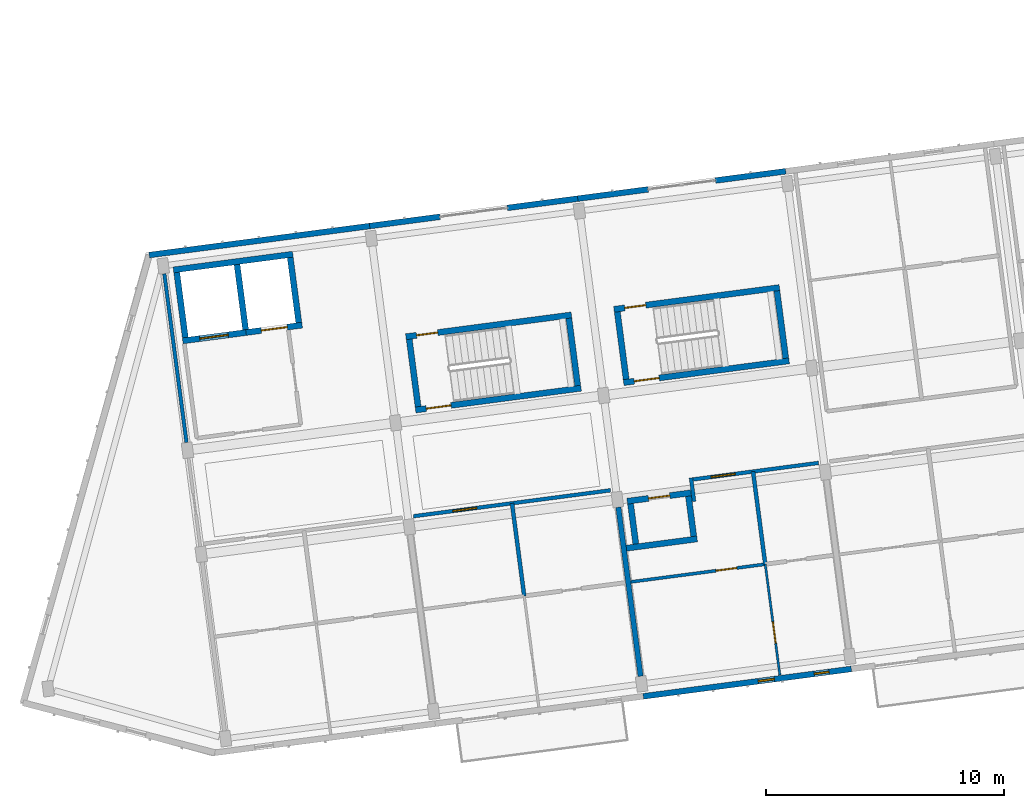
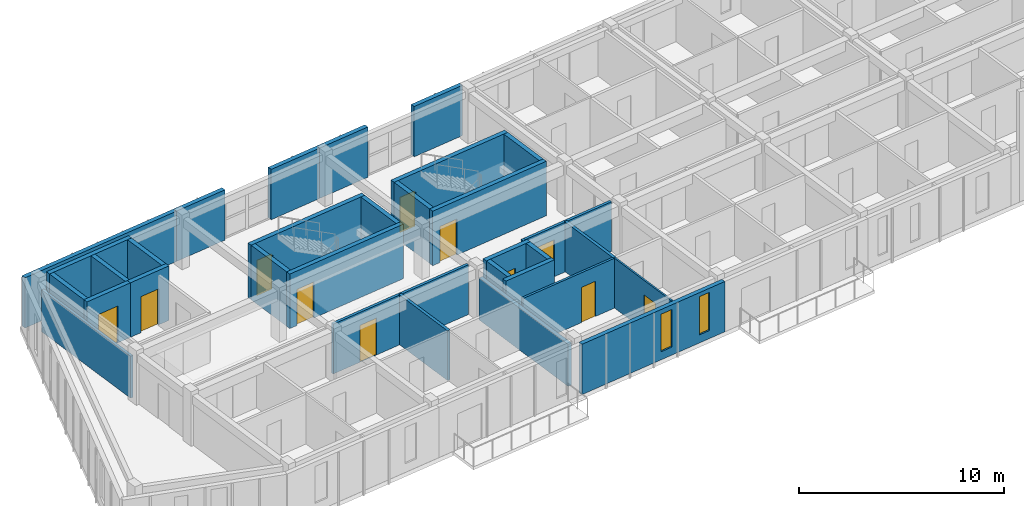
# One storey, part 13 of 31: 33 walls, 11 doors, 2 windows, 13 openings.
"""IFC4 building model written with IfcOpenShell, lengths in metres."""

import ifcopenshell
import ifcopenshell.guid

model = None  # the IFC model being written
_history = None  # IfcOwnerHistory: only IFC2X3 demands one
_inside = {}  # id of a spatial element -> (the spatial element, [elements in it])
_under = {}  # id of a project, library or spatial element -> (it, [spatial elements below it])
_declared = {}  # id of a project -> (the project, [libraries it declares])
_typed = {}  # id of a type object -> (the type object, [elements of that type])
_made_of = {}  # id of a material, layer set ... -> (it, [elements and type objects made of it])


def new_model(schema):
    """Start an empty IFC model of exactly this schema.

    Asked for "IFC4X3", IfcOpenShell would pick the latest addendum, in which some entities
    have other attributes; the version numbers below select the first issue.
    IFC2X3 requires an IfcOwnerHistory on every rooted entity: one is made here for all.
    """
    global model, _history
    if schema == "IFC4X3":
        model = ifcopenshell.file(schema_version=(4, 3, 0, 0))
    else:
        model = ifcopenshell.file(schema=schema)
    _inside.clear()
    _under.clear()
    _declared.clear()
    _typed.clear()
    _made_of.clear()
    _history = None
    if model.schema == "IFC2X3":
        org = make("IfcOrganization", Name="unknown")
        user = make(
            "IfcPersonAndOrganization",
            ThePerson=make("IfcPerson", FamilyName="unknown"),
            TheOrganization=org,
        )
        app = make(
            "IfcApplication",
            ApplicationDeveloper=org,
            Version="unknown",
            ApplicationFullName="unknown",
            ApplicationIdentifier="unknown",
        )
        _history = make(
            "IfcOwnerHistory",
            OwningUser=user,
            OwningApplication=app,
            ChangeAction="ADDED",
            CreationDate=0,
        )
    return model


def make(cls, **values):
    """One entity of the class cls with the attributes given. An attribute that is None is left unset."""
    return model.create_entity(
        cls, **{name: value for name, value in values.items() if value is not None}
    )


def rooted(cls, **values):
    """An entity with a GlobalId (a new one), such as an element, a storey or a relation."""
    return make(cls, GlobalId=ifcopenshell.guid.new(), OwnerHistory=_history, **values)


def si_unit(unit_type, name, prefix=None):
    """IfcSIUnit, for example si_unit("LENGTHUNIT", "METRE", prefix="MILLI")."""
    return make("IfcSIUnit", UnitType=unit_type, Prefix=prefix, Name=name)


def assignment(units):
    """IfcUnitAssignment: the units of a project."""
    return None if units is None else make("IfcUnitAssignment", Units=units)


def point(xyz):
    """IfcCartesianPoint."""
    return None if xyz is None else make("IfcCartesianPoint", Coordinates=xyz)


def direction(xyz):
    """IfcDirection."""
    return None if xyz is None else make("IfcDirection", DirectionRatios=xyz)


def frame(location, z_axis=None, x_axis=None):
    """IfcAxis2Placement3D, a coordinate frame: its origin and axes. An axis left out is left unset."""
    return make(
        "IfcAxis2Placement3D",
        Location=point(location),
        Axis=direction(z_axis),
        RefDirection=direction(x_axis),
    )


def frame_2d(location, x_axis=None):
    """IfcAxis2Placement2D, a coordinate frame in the plane: its origin and x axis."""
    return make(
        "IfcAxis2Placement2D", Location=point(location), RefDirection=direction(x_axis)
    )


def origin():
    """The frame at (0, 0, 0) with its axes left unset."""
    return frame((0.0, 0.0, 0.0))


def place(relative_to, where):
    """IfcLocalPlacement: puts the frame where relative to a parent placement (None: the world)."""
    return make(
        "IfcLocalPlacement", PlacementRelTo=relative_to, RelativePlacement=where
    )


def context(
    kind, dimensions, precision=None, world=None, true_north=None, identifier=None
):
    """IfcGeometricRepresentationContext, for example the 3D "Model" context."""
    return make(
        "IfcGeometricRepresentationContext",
        ContextIdentifier=identifier,
        ContextType=kind,
        CoordinateSpaceDimension=dimensions,
        Precision=precision,
        WorldCoordinateSystem=world,
        TrueNorth=true_north,
    )


def subcontext(parent, identifier, kind, view, scale=None):
    """IfcGeometricRepresentationSubContext, for example "Body" below "Model"."""
    return make(
        "IfcGeometricRepresentationSubContext",
        ContextIdentifier=identifier,
        ContextType=kind,
        ParentContext=parent,
        TargetScale=scale,
        TargetView=view,
    )


def project(units=None, contexts=None):
    """IfcProject with its units and contexts."""
    return rooted(
        "IfcProject",
        Name="project",
        RepresentationContexts=contexts,
        UnitsInContext=assignment(units),
    )


def spatial(cls, under=None, at=None, **own):
    """A site, building, storey or space (cls), placed at a placement, below another one or the project."""
    s = rooted(cls, ObjectPlacement=at, **own)
    if under is not None:
        _under.setdefault(under.id(), (under, []))[1].append(s)
    return s


def profile(cls, at=None, kind="AREA", **sizes):
    """A parametric profile (cls). Its sizes go by their IFC names, for example OverallWidth=200.0."""
    return make(cls, ProfileType=kind, Position=at, **sizes)


def rectangle(**sizes):
    """IfcRectangleProfileDef."""
    return profile("IfcRectangleProfileDef", **sizes)


def extrude(swept, where, along, depth):
    """IfcExtrudedAreaSolid: the profile swept, set in the frame where, extruded along a direction by depth."""
    return make(
        "IfcExtrudedAreaSolid",
        SweptArea=swept,
        Position=where,
        ExtrudedDirection=direction(along),
        Depth=depth,
    )


def shape(context_of_items, identifier, shape_type, items):
    """IfcShapeRepresentation: the items that make up one representation, for example the "Body"."""
    return make(
        "IfcShapeRepresentation",
        ContextOfItems=context_of_items,
        RepresentationIdentifier=identifier,
        RepresentationType=shape_type,
        Items=items,
    )


def material(Name=None, Category=None):
    """IfcMaterial."""
    return make("IfcMaterial", Name=Name, Category=Category)


def layer(
    of_material, thickness, ventilated=None, Name=None, Category=None, Priority=None
):
    """IfcMaterialLayer: one layer of a wall or slab, of a material (None: an air gap)."""
    return make(
        "IfcMaterialLayer",
        Material=of_material,
        LayerThickness=thickness,
        IsVentilated=ventilated,
        Name=Name,
        Category=Category,
        Priority=Priority,
    )


def layer_set(layers, Name=None):
    """IfcMaterialLayerSet."""
    return make("IfcMaterialLayerSet", MaterialLayers=layers, LayerSetName=Name)


def made_of(thing, what):
    """Note that an element or type object is made of a material, layer set ...; save() writes the relation."""
    if what is not None:
        _made_of.setdefault(what.id(), (what, []))[1].append(thing)
    return thing


def type_object(cls, material=None, **own):
    """A type object (cls), such as IfcWallType, which elements share."""
    return made_of(rooted(cls, **own), material)


def element(
    cls,
    number,
    at=None,
    inside=None,
    cuts=None,
    type_object=None,
    material=None,
    context=None,
    identifier="Body",
    shape_type=None,
    held_by="IfcProductDefinitionShape",
    body=None,
    shapes=None,
    **own,
):
    """One element of the class cls, such as IfcWall. Its Tag is "e" and its number.

    at: its placement. inside: the storey or other place that contains it. cuts: it is an
    opening in that element (IfcRelVoidsElement). A single representation is given by context,
    identifier, shape_type and body (its items); several are given by shapes. held_by: the class
    of the entity that holds the representations. save() writes the other relations.
    """
    e = rooted(cls, Tag="e%d" % number, ObjectPlacement=at, **own)
    if body is not None:
        shapes = [shape(context, identifier, shape_type, body)]
    if shapes is not None:
        e.Representation = make(held_by, Representations=shapes)
    if inside is not None:
        _inside.setdefault(inside.id(), (inside, []))[1].append(e)
    if cuts is not None:
        rooted(
            "IfcRelVoidsElement", RelatingBuildingElement=cuts, RelatedOpeningElement=e
        )
    if type_object is not None:
        _typed.setdefault(type_object.id(), (type_object, []))[1].append(e)
    return made_of(e, material)


def fill(opening, filler):
    """IfcRelFillsElement: the door or window that sits in an opening."""
    return rooted(
        "IfcRelFillsElement",
        RelatingOpeningElement=opening,
        RelatedBuildingElement=filler,
    )


def aggregate(whole, parts):
    """IfcRelAggregates: a whole, such as a stair, and the parts it consists of."""
    return rooted("IfcRelAggregates", RelatingObject=whole, RelatedObjects=parts)


def save(model, path):
    """Write the relations noted so far, then the file.

    IfcRelAggregates (storeys below a building ...), IfcRelContainedInSpatialStructure (elements
    in a storey), IfcRelDefinesByType, IfcRelAssociatesMaterial and IfcRelDeclares: one each for
    every whole, place, type object, material and project.
    """
    for whole, parts in _under.values():
        aggregate(whole, parts)
    for where, things in _inside.values():
        rooted(
            "IfcRelContainedInSpatialStructure",
            RelatedElements=things,
            RelatingStructure=where,
        )
    for kind, things in _typed.values():
        rooted("IfcRelDefinesByType", RelatedObjects=things, RelatingType=kind)
    for what, things in _made_of.values():
        rooted("IfcRelAssociatesMaterial", RelatedObjects=things, RelatingMaterial=what)
    for by, libraries in _declared.values():
        rooted("IfcRelDeclares", RelatingContext=by, RelatedDefinitions=libraries)
    model.write(path)


model = new_model("IFC4")

# Units and contexts
model_context = context("Model", 3, precision=1e-05, world=origin(), true_north=direction((0.0, 1.0)))
body_context = subcontext(model_context, "Body", "Model", "MODEL_VIEW")
ifc_project = project(units=[si_unit("LENGTHUNIT", "METRE"), si_unit("AREAUNIT", "SQUARE_METRE"), si_unit("VOLUMEUNIT", "CUBIC_METRE"), si_unit("PLANEANGLEUNIT", "RADIAN"), si_unit("MASSUNIT", "GRAM", prefix="KILO")], contexts=[model_context])

# Site, building, storey
site_placement = place(None, origin())
site = spatial("IfcSite", under=ifc_project, at=site_placement, CompositionType="ELEMENT")
building_placement = place(site_placement, origin())
building = spatial("IfcBuilding", under=site, at=building_placement, Name="Kestramere Prow Commons", CompositionType="ELEMENT")
storey_placement = place(building_placement, frame((0.0, 0.0, 37.64990234375)))
storey = spatial("IfcBuildingStorey", under=building, at=storey_placement, Name="L11", CompositionType="ELEMENT", Elevation=37.64990234375)

# Wall, openings, windows
ifc_material_1 = material(Name="Fluoropolymer Standing-Seam Zinc-Aluminium Cladding", Category="aluminium")
ifc_layer_1 = layer(ifc_material_1, 0.239990234375)
ifc_layer_set_1 = layer_set([ifc_layer_1], Name="Fluoropolymer Standing-Seam Zinc-Aluminium Cladding")
wall_type_1 = type_object("IfcWallType", Name="EW-SEAM-240", PredefinedType="SOLIDWALL", material=ifc_layer_set_1)
wall_1_placement = place(storey_placement, frame((37.442626953125, 74.92529296875, 0.0), z_axis=(0.0, 0.0, 1.0), x_axis=(-0.991447495205, -0.130506184728, 0.0)))
wall_1 = element("IfcWall", 1, at=wall_1_placement, inside=storey, type_object=wall_type_1, Name="Block A L11 South Standing-Seam Wall 3", PredefinedType="SOLIDWALL", context=body_context, shape_type="SweptSolid", body=[
    extrude(rectangle(XDim=8.7998046875, YDim=0.239990234375, at=frame_2d((4.39990234375, 0.0))), origin(), (0.0, 0.0, 1.0), 3.0),
])
opening_1_placement = place(wall_1_placement, frame((0.943603515625, 0.0, 0.47998046875)))
opening_1 = element("IfcOpeningElement", 2, at=opening_1_placement, cuts=wall_1, Name="Opening WN-03", PredefinedType="OPENING", context=body_context, shape_type="SweptSolid", body=[
    extrude(rectangle(XDim=0.6201171875, YDim=2.280029296875, at=frame_2d((0.31005859375, 1.14013671875))), frame((0.0, 0.135009765625, 0.0), z_axis=(0.0, -1.0, 0.0), x_axis=(1.0, 0.0, 0.0)), (0.0, 0.0, 1.0), 0.27001953125),
])
opening_2_placement = place(wall_1_placement, frame((3.26171875, 0.0, 0.47998046875)))
opening_2 = element("IfcOpeningElement", 3, at=opening_2_placement, cuts=wall_1, Name="Opening WN-06", PredefinedType="OPENING", context=body_context, shape_type="SweptSolid", body=[
    extrude(rectangle(XDim=0.679931640625, YDim=2.239990234375, at=frame_2d((0.33984375, 1.1201171875))), frame((0.0, 0.135009765625, 0.0), z_axis=(0.0, -1.0, 0.0), x_axis=(1.0, 0.0, 0.0)), (0.0, 0.0, 1.0), 0.27001953125),
])
ifc_material_2 = material(Name="Low-E Laminated Double Glazing", Category="glass")
window_type_1 = type_object("IfcWindowType", Name="WN-NAR-620A", PartitioningType="SINGLE_PANEL", PredefinedType="WINDOW", material=ifc_material_2)
window_1_placement = place(opening_1_placement, origin())
window_1 = element("IfcWindow", 4, at=window_1_placement, inside=storey, type_object=window_type_1, Name="WN-A-L11-S-2-00", OverallHeight=2.280029296875, OverallWidth=0.6201171875, PartitioningType="SINGLE_PANEL", PredefinedType="WINDOW", context=body_context, shape_type="SweptSolid", body=[
    extrude(rectangle(XDim=0.6201171875, YDim=2.280029296875, at=frame_2d((0.31005859375, 1.14013671875))), frame((0.0, 0.030029296875, 0.0), z_axis=(0.0, -1.0, 0.0), x_axis=(1.0, 0.0, 0.0)), (0.0, 0.0, 1.0), 0.06005859375),
])
fill(opening_1, window_1)
window_type_2 = type_object("IfcWindowType", Name="WN-NAR-680A", PartitioningType="SINGLE_PANEL", PredefinedType="WINDOW", material=ifc_material_2)
window_2_placement = place(opening_2_placement, origin())
window_2 = element("IfcWindow", 5, at=window_2_placement, inside=storey, type_object=window_type_2, Name="WN-A-L11-S-2-10", OverallHeight=2.239990234375, OverallWidth=0.679931640625, PartitioningType="SINGLE_PANEL", PredefinedType="WINDOW", context=body_context, shape_type="SweptSolid", body=[
    extrude(rectangle(XDim=0.679931640625, YDim=2.239990234375, at=frame_2d((0.33984375, 1.1201171875))), frame((0.0, 0.030029296875, 0.0), z_axis=(0.0, -1.0, 0.0), x_axis=(1.0, 0.0, 0.0)), (0.0, 0.0, 1.0), 0.06005859375),
])
fill(opening_2, window_2)

# Walls
wall_2_placement = place(storey_placement, frame((8.00048828125, 92.28076171875, 0.0), z_axis=(0.0, 0.0, 1.0), x_axis=(0.991442885224, 0.130541201693, 0.0)))
element("IfcWall", 6, at=wall_2_placement, inside=storey, type_object=wall_type_1, Name="Block A L11 North Standing-Seam Wall 1", PredefinedType="SOLIDWALL", context=body_context, shape_type="SweptSolid", body=[
    extrude(rectangle(XDim=9.324951171875, YDim=0.239990234375, at=frame_2d((4.66259765625, 0.0))), origin(), (0.0, 0.0, 1.0), 3.0),
])
for number, where, z_axis, x_axis, name in (
    (7, (17.24560546875, 93.498046875, 0.0), (0.0, 0.0, 1.0), (0.991451502252, 0.130475739826, 0.0), "Block A L11 North Standing-Seam Pier 2L"),
    (8, (23.020751953125, 94.25830078125, 0.0), (0.0, 0.0, 1.0), (0.991440883744, 0.130556401758, 0.0), "Block A L11 North Standing-Seam Pier 2R"),
):
    element("IfcWall", number, at=place(storey_placement, frame(where, z_axis=z_axis, x_axis=x_axis)), inside=storey, type_object=wall_type_1, Name=name, PredefinedType="SOLIDWALL", context=body_context, shape_type="SweptSolid", body=[
        extrude(rectangle(XDim=2.97509765625, YDim=0.239990234375, at=frame_2d((1.487548828125, 0.0))), origin(), (0.0, 0.0, 1.0), 3.0),
    ])
for number, where, z_axis, x_axis, name in (
    (9, (25.970458984375, 94.646728515625, 0.0), (0.0, 0.0, 1.0), (0.991450105095, 0.130486356022, 0.0), "Block A L11 North Standing-Seam Pier 3L"),
    (10, (31.74560546875, 95.406982421875, 0.0), (0.0, 0.0, 1.0), (0.991439484875, 0.130567024289, 0.0), "Block A L11 North Standing-Seam Pier 3R"),
):
    element("IfcWall", number, at=place(storey_placement, frame(where, z_axis=z_axis, x_axis=x_axis)), inside=storey, type_object=wall_type_1, Name=name, PredefinedType="SOLIDWALL", context=body_context, shape_type="SweptSolid", body=[
        extrude(rectangle(XDim=2.974853515625, YDim=0.239990234375, at=frame_2d((1.4873046875, 0.0))), origin(), (0.0, 0.0, 1.0), 3.0),
    ])
ifc_material_3 = material(Name="Concrete C40/50", Category="concrete")
ifc_layer_2 = layer(ifc_material_3, 0.25)
ifc_layer_set_2 = layer_set([ifc_layer_2], Name="Concrete C40/50")
wall_type_2 = type_object("IfcWallType", Name="W-CORE-250", PredefinedType="SHEAR", material=ifc_layer_set_2)
wall_3_placement = place(storey_placement, frame((9.015380859375, 91.657958984375, 0.0), z_axis=(0.0, 0.0, 1.0), x_axis=(0.991444419808, 0.130529546201, 0.0)))
element("IfcWall", 11, at=wall_3_placement, inside=storey, type_object=wall_type_2, Name="Block A L11 Lift Core Back Wall", PredefinedType="SHEAR", context=body_context, shape_type="SweptSolid", body=[
    extrude(rectangle(XDim=5.050048828125, YDim=0.25, at=frame_2d((2.52490234375, 0.0))), origin(), (0.0, 0.0, 1.0), 3.25),
])

# Wall, opening, door
wall_4_placement = place(storey_placement, frame((9.406982421875, 88.68359375, 0.0), z_axis=(0.0, 0.0, 1.0), x_axis=(0.991434713833, 0.130603247307, 0.0)))
wall_4 = element("IfcWall", 12, at=wall_4_placement, inside=storey, type_object=wall_type_2, Name="Block A L11 Fire Lift Shaft Front Wall", PredefinedType="SHEAR", context=body_context, shape_type="SweptSolid", body=[
    extrude(rectangle(XDim=2.675048828125, YDim=0.25, at=frame_2d((1.33740234375, 0.0))), origin(), (0.0, 0.0, 1.0), 3.25),
])
opening_3_placement = place(wall_4_placement, frame((0.719970703125, 0.0, 0.0)))
opening_3 = element("IfcOpeningElement", 13, at=opening_3_placement, cuts=wall_4, Name="Opening LD-02", PredefinedType="OPENING", context=body_context, shape_type="SweptSolid", body=[
    extrude(rectangle(XDim=1.199951171875, YDim=2.199951171875, at=frame_2d((0.60009765625, 1.10009765625))), frame((0.0, 0.139892578125, 0.0), z_axis=(0.0, -1.0, 0.0), x_axis=(1.0, 0.0, 0.0)), (0.0, 0.0, 1.0), 0.280029296875),
])
ifc_material_4 = material(Name="Brushed Stainless Steel 316", Category="steel")
door_type_1 = type_object("IfcDoorType", Name="LD-02", OperationType="DOUBLE_DOOR_SLIDING", PredefinedType="DOOR", material=ifc_material_4)
door_1_placement = place(opening_3_placement, origin())
door_1 = element("IfcDoor", 14, at=door_1_placement, inside=storey, type_object=door_type_1, Name="FL-A1 L11 Lift Landing Door", OperationType="DOUBLE_DOOR_SLIDING", OverallHeight=2.199951171875, OverallWidth=1.199951171875, PredefinedType="DOOR", context=body_context, shape_type="SweptSolid", body=[
    extrude(rectangle(XDim=1.199951171875, YDim=2.199951171875, at=frame_2d((0.60009765625, 1.10009765625))), frame((0.0, 0.02490234375, 0.0), z_axis=(0.0, -1.0, 0.0), x_axis=(1.0, 0.0, 0.0)), (0.0, 0.0, 1.0), 0.050048828125),
])
fill(opening_3, door_1)

wall_5_placement = place(storey_placement, frame((12.05908203125, 89.032958984375, 0.0), z_axis=(0.0, 0.0, 1.0), x_axis=(0.99145534515, 0.130446535303, 0.0)))
wall_5 = element("IfcWall", 15, at=wall_5_placement, inside=storey, type_object=wall_type_2, Name="Block A L11 Passenger Lift Shaft Front Wall", PredefinedType="SHEAR", context=body_context, shape_type="SweptSolid", body=[
    extrude(rectangle(XDim=2.375, YDim=0.25, at=frame_2d((1.1875, 0.0))), origin(), (0.0, 0.0, 1.0), 3.25),
])
opening_4_placement = place(wall_5_placement, frame((0.64990234375, 0.0, 0.0)))
opening_4 = element("IfcOpeningElement", 16, at=opening_4_placement, cuts=wall_5, Name="Opening LD-01", PredefinedType="OPENING", context=body_context, shape_type="SweptSolid", body=[
    extrude(rectangle(XDim=1.10009765625, YDim=2.14990234375, at=frame_2d((0.550048828125, 1.074951171875))), frame((0.0, 0.139892578125, 0.0), z_axis=(0.0, -1.0, 0.0), x_axis=(1.0, 0.0, 0.0)), (0.0, 0.0, 1.0), 0.280029296875),
])
ifc_material_5 = material(Name="Brushed Stainless Steel 304", Category="steel")
door_type_2 = type_object("IfcDoorType", Name="LD-01", OperationType="DOUBLE_DOOR_SLIDING", PredefinedType="DOOR", material=ifc_material_5)
door_2_placement = place(opening_4_placement, origin())
door_2 = element("IfcDoor", 17, at=door_2_placement, inside=storey, type_object=door_type_2, Name="PL-A2 L11 Lift Landing Door", OperationType="DOUBLE_DOOR_SLIDING", OverallHeight=2.14990234375, OverallWidth=1.10009765625, PredefinedType="DOOR", context=body_context, shape_type="SweptSolid", body=[
    extrude(rectangle(XDim=1.10009765625, YDim=2.14990234375, at=frame_2d((0.550048828125, 1.074951171875))), frame((0.0, 0.02490234375, 0.0), z_axis=(0.0, -1.0, 0.0), x_axis=(1.0, 0.0, 0.0)), (0.0, 0.0, 1.0), 0.050048828125),
])
fill(opening_4, door_2)

# Walls
for number, where, z_axis, x_axis, name in (
    (18, (9.5146484375, 88.823974609375, 0.0), (0.0, 0.0, 1.0), (-0.130500441374, 0.991448251197, 0.0), "Block A L11 Lift Core Side Wall L"),
    (19, (12.042724609375, 89.15673828125, 0.0), (0.0, 0.0, 1.0), (-0.130500441374, 0.991448251197, 0.0), "Block A L11 Lift Core Side Wall M"),
    (20, (14.2734375, 89.450439453125, 0.0), (0.0, 0.0, 1.0), (-0.130500441374, 0.991448251197, 0.0), "Block A L11 Lift Core Side Wall R"),
):
    element("IfcWall", number, at=place(storey_placement, frame(where, z_axis=z_axis, x_axis=x_axis)), inside=storey, type_object=wall_type_2, Name=name, PredefinedType="SHEAR", context=body_context, shape_type="SweptSolid", body=[
        extrude(rectangle(XDim=2.75, YDim=0.25, at=frame_2d((1.375, 0.0))), origin(), (0.0, 0.0, 1.0), 3.25),
    ])

# Wall, opening, door
wall_6_placement = place(storey_placement, frame((18.764404296875, 88.856689453125, 0.0), z_axis=(0.0, 0.0, 1.0), x_axis=(0.991447052715, 0.13050954625, 0.0)))
wall_6 = element("IfcWall", 21, at=wall_6_placement, inside=storey, type_object=wall_type_2, Name="ST-A1 L11 North Shaft Wall", PredefinedType="SHEAR", context=body_context, shape_type="SweptSolid", body=[
    extrude(rectangle(XDim=7.0, YDim=0.25, at=frame_2d((3.5, 0.0))), origin(), (0.0, 0.0, 1.0), 3.25),
])
opening_5_placement = place(wall_6_placement, frame((0.449951171875, 0.0, 0.0)))
opening_5 = element("IfcOpeningElement", 22, at=opening_5_placement, cuts=wall_6, Name="Opening ID-08", PredefinedType="OPENING", context=body_context, shape_type="SweptSolid", body=[
    extrude(rectangle(XDim=0.89990234375, YDim=2.10009765625, at=frame_2d((0.449951171875, 1.050048828125))), frame((0.0, 0.139892578125, 0.0), z_axis=(0.0, -1.0, 0.0), x_axis=(1.0, 0.0, 0.0)), (0.0, 0.0, 1.0), 0.280029296875),
])
ifc_material_6 = material(Name="Engineered Timber Flush Door", Category="wood")
door_type_3 = type_object("IfcDoorType", Name="D-RM-01", OperationType="NOTDEFINED", PredefinedType="DOOR", material=ifc_material_6)
door_3_placement = place(opening_5_placement, origin())
door_3 = element("IfcDoor", 23, at=door_3_placement, inside=storey, type_object=door_type_3, Name="ST-A1 L11 North Room Door", OperationType="SINGLE_SWING_RIGHT", OverallHeight=2.10009765625, OverallWidth=0.89990234375, PredefinedType="DOOR", context=body_context, shape_type="SweptSolid", body=[
    extrude(rectangle(XDim=0.89990234375, YDim=2.10009765625, at=frame_2d((0.449951171875, 1.050048828125))), frame((0.0, 0.02490234375, 0.0), z_axis=(0.0, -1.0, 0.0), x_axis=(1.0, 0.0, 0.0)), (0.0, 0.0, 1.0), 0.050048828125),
])
fill(opening_5, door_3)

wall_7_placement = place(storey_placement, frame((19.169189453125, 85.783203125, 0.0), z_axis=(0.0, 0.0, 1.0), x_axis=(0.991446458634, 0.130514059249, 0.0)))
wall_7 = element("IfcWall", 24, at=wall_7_placement, inside=storey, type_object=wall_type_2, Name="ST-A1 L11 Corridor Shaft Wall", PredefinedType="SHEAR", context=body_context, shape_type="SweptSolid", body=[
    extrude(rectangle(XDim=6.999755859375, YDim=0.25, at=frame_2d((3.5, 0.0))), origin(), (0.0, 0.0, 1.0), 3.25),
])
opening_6_placement = place(wall_7_placement, frame((0.449951171875, 0.0, 0.0)))
opening_6 = element("IfcOpeningElement", 25, at=opening_6_placement, cuts=wall_7, Name="Opening ID-01", PredefinedType="OPENING", context=body_context, shape_type="SweptSolid", body=[
    extrude(rectangle(XDim=1.050048828125, YDim=2.14990234375, at=frame_2d((0.52490234375, 1.074951171875))), frame((0.0, 0.139892578125, 0.0), z_axis=(0.0, -1.0, 0.0), x_axis=(1.0, 0.0, 0.0)), (0.0, 0.0, 1.0), 0.280029296875),
])
ifc_material_7 = material(Name="Fire-Rated Timber and Steel Frame", Category="steel")
door_type_4 = type_object("IfcDoorType", Name="FD-ST-01", OperationType="NOTDEFINED", PredefinedType="DOOR", material=ifc_material_7)
door_4_placement = place(opening_6_placement, origin())
door_4 = element("IfcDoor", 26, at=door_4_placement, inside=storey, type_object=door_type_4, Name="ST-A1 L11 Protected Stair Door", OperationType="SINGLE_SWING_RIGHT", OverallHeight=2.14990234375, OverallWidth=1.050048828125, PredefinedType="DOOR", context=body_context, shape_type="SweptSolid", body=[
    extrude(rectangle(XDim=1.050048828125, YDim=2.14990234375, at=frame_2d((0.52490234375, 1.074951171875))), frame((0.0, 0.02490234375, 0.0), z_axis=(0.0, -1.0, 0.0), x_axis=(1.0, 0.0, 0.0)), (0.0, 0.0, 1.0), 0.050048828125),
])
fill(opening_6, door_4)

# Walls
for number, where, z_axis, x_axis, name in (
    (27, (19.27685546875, 85.92333984375, 0.0), (0.0, 0.0, 1.0), (-0.130547578832, 0.991442045538, 0.0), "ST-A1 L11 Near Shaft Wall"),
    (28, (25.968994140625, 86.804443359375, 0.0), (0.0, 0.0, 1.0), (-0.130547578832, 0.991442045538, 0.0), "ST-A1 L11 Far Shaft Wall"),
):
    element("IfcWall", number, at=place(storey_placement, frame(where, z_axis=z_axis, x_axis=x_axis)), inside=storey, type_object=wall_type_2, Name=name, PredefinedType="SHEAR", context=body_context, shape_type="SweptSolid", body=[
        extrude(rectangle(XDim=2.85009765625, YDim=0.25, at=frame_2d((1.425048828125, 0.0))), origin(), (0.0, 0.0, 1.0), 3.25),
    ])

# Wall, opening, door
wall_8_placement = place(storey_placement, frame((27.4892578125, 90.005126953125, 0.0), z_axis=(0.0, 0.0, 1.0), x_axis=(0.991441944909, 0.130548343059, 0.0)))
wall_8 = element("IfcWall", 29, at=wall_8_placement, inside=storey, type_object=wall_type_2, Name="ST-A2 L11 North Shaft Wall", PredefinedType="SHEAR", context=body_context, shape_type="SweptSolid", body=[
    extrude(rectangle(XDim=6.999755859375, YDim=0.25, at=frame_2d((3.5, 0.0))), origin(), (0.0, 0.0, 1.0), 3.25),
])
opening_7_placement = place(wall_8_placement, frame((0.449951171875, 0.0, 0.0)))
opening_7 = element("IfcOpeningElement", 30, at=opening_7_placement, cuts=wall_8, Name="Opening ID-08", PredefinedType="OPENING", context=body_context, shape_type="SweptSolid", body=[
    extrude(rectangle(XDim=0.89990234375, YDim=2.10009765625, at=frame_2d((0.449951171875, 1.050048828125))), frame((0.0, 0.139892578125, 0.0), z_axis=(0.0, -1.0, 0.0), x_axis=(1.0, 0.0, 0.0)), (0.0, 0.0, 1.0), 0.280029296875),
])
door_5_placement = place(opening_7_placement, origin())
door_5 = element("IfcDoor", 31, at=door_5_placement, inside=storey, type_object=door_type_3, Name="ST-A2 L11 North Room Door", OperationType="SINGLE_SWING_RIGHT", OverallHeight=2.10009765625, OverallWidth=0.89990234375, PredefinedType="DOOR", context=body_context, shape_type="SweptSolid", body=[
    extrude(rectangle(XDim=0.89990234375, YDim=2.10009765625, at=frame_2d((0.449951171875, 1.050048828125))), frame((0.0, 0.02490234375, 0.0), z_axis=(0.0, -1.0, 0.0), x_axis=(1.0, 0.0, 0.0)), (0.0, 0.0, 1.0), 0.050048828125),
])
fill(opening_7, door_5)

wall_9_placement = place(storey_placement, frame((27.893798828125, 86.931640625, 0.0), z_axis=(0.0, 0.0, 1.0), x_axis=(0.991442539299, 0.130543828916, 0.0)))
wall_9 = element("IfcWall", 32, at=wall_9_placement, inside=storey, type_object=wall_type_2, Name="ST-A2 L11 Corridor Shaft Wall", PredefinedType="SHEAR", context=body_context, shape_type="SweptSolid", body=[
    extrude(rectangle(XDim=7.0, YDim=0.25, at=frame_2d((3.5, 0.0))), origin(), (0.0, 0.0, 1.0), 3.25),
])
opening_8_placement = place(wall_9_placement, frame((0.449951171875, 0.0, 0.0)))
opening_8 = element("IfcOpeningElement", 33, at=opening_8_placement, cuts=wall_9, Name="Opening ID-01", PredefinedType="OPENING", context=body_context, shape_type="SweptSolid", body=[
    extrude(rectangle(XDim=1.050048828125, YDim=2.14990234375, at=frame_2d((0.52490234375, 1.074951171875))), frame((0.0, 0.139892578125, 0.0), z_axis=(0.0, -1.0, 0.0), x_axis=(1.0, 0.0, 0.0)), (0.0, 0.0, 1.0), 0.280029296875),
])
door_6_placement = place(opening_8_placement, origin())
door_6 = element("IfcDoor", 34, at=door_6_placement, inside=storey, type_object=door_type_4, Name="ST-A2 L11 Protected Stair Door", OperationType="SINGLE_SWING_RIGHT", OverallHeight=2.14990234375, OverallWidth=1.050048828125, PredefinedType="DOOR", context=body_context, shape_type="SweptSolid", body=[
    extrude(rectangle(XDim=1.050048828125, YDim=2.14990234375, at=frame_2d((0.52490234375, 1.074951171875))), frame((0.0, 0.02490234375, 0.0), z_axis=(0.0, -1.0, 0.0), x_axis=(1.0, 0.0, 0.0)), (0.0, 0.0, 1.0), 0.050048828125),
])
fill(opening_8, door_6)

# Walls
wall_10_placement = place(storey_placement, frame((28.00146484375, 87.072021484375, 0.0), z_axis=(0.0, 0.0, 1.0), x_axis=(-0.130547578832, 0.991442045538, 0.0)))
element("IfcWall", 35, at=wall_10_placement, inside=storey, type_object=wall_type_2, Name="ST-A2 L11 Near Shaft Wall", PredefinedType="SHEAR", context=body_context, shape_type="SweptSolid", body=[
    extrude(rectangle(XDim=2.85009765625, YDim=0.25, at=frame_2d((1.425048828125, 0.0))), origin(), (0.0, 0.0, 1.0), 3.25),
])
wall_11_placement = place(storey_placement, frame((34.693603515625, 87.953125, 0.0), z_axis=(0.0, 0.0, 1.0), x_axis=(-0.130474457355, 0.991451671025, 0.0)))
element("IfcWall", 36, at=wall_11_placement, inside=storey, type_object=wall_type_2, Name="ST-A2 L11 Far Shaft Wall", PredefinedType="SHEAR", context=body_context, shape_type="SweptSolid", body=[
    extrude(rectangle(XDim=2.849853515625, YDim=0.25, at=frame_2d((1.4248046875, 0.0))), origin(), (0.0, 0.0, 1.0), 3.25),
])

# Wall, opening, door
ifc_material_8 = material(Name="Fire-Rated Calcium Silicate Wall")
ifc_layer_3 = layer(ifc_material_8, 0.155029296875)
ifc_layer_set_3 = layer_set([ifc_layer_3], Name="Fire-Rated Calcium Silicate Wall")
wall_type_3 = type_object("IfcWallType", Name="W-FIRE-150", PredefinedType="PARTITIONING", material=ifc_layer_set_3)
wall_12_placement = place(storey_placement, frame((19.084716796875, 81.3291015625, 0.0), z_axis=(0.0, 0.0, 1.0), x_axis=(0.991446911972, 0.130510615437, 0.0)))
wall_12 = element("IfcWall", 37, at=wall_12_placement, inside=storey, type_object=wall_type_3, Name="Interior Partition PW-A-L11-CS-1", PredefinedType="PARTITIONING", context=body_context, shape_type="SweptSolid", body=[
    extrude(rectangle(XDim=8.330078125, YDim=0.155029296875, at=frame_2d((4.1650390625, 0.0))), origin(), (0.0, 0.0, 1.0), 2.97021484375),
])
opening_9_placement = place(wall_12_placement, frame((1.655029296875, 0.0, 0.0)))
opening_9 = element("IfcOpeningElement", 38, at=opening_9_placement, cuts=wall_12, Name="Opening ID-05", PredefinedType="OPENING", context=body_context, shape_type="SweptSolid", body=[
    extrude(rectangle(XDim=1.02001953125, YDim=2.199951171875, at=frame_2d((0.510009765625, 1.10009765625))), frame((0.0, 0.092529296875, 0.0), z_axis=(0.0, -1.0, 0.0), x_axis=(1.0, 0.0, 0.0)), (0.0, 0.0, 1.0), 0.18505859375),
])
ifc_material_9 = material(Name="Hardwood Fire-Rated Flat Entrance Door", Category="wood")
door_type_5 = type_object("IfcDoorType", Name="FD-ENT-02", OperationType="NOTDEFINED", PredefinedType="DOOR", material=ifc_material_9)
door_7_placement = place(opening_9_placement, origin())
door_7 = element("IfcDoor", 39, at=door_7_placement, inside=storey, type_object=door_type_5, Name="Interior Door DR-A-L11-ENT-S1", OperationType="SINGLE_SWING_LEFT", OverallHeight=2.199951171875, OverallWidth=1.02001953125, PredefinedType="DOOR", context=body_context, shape_type="SweptSolid", body=[
    extrude(rectangle(XDim=1.02001953125, YDim=2.199951171875, at=frame_2d((0.510009765625, 1.10009765625))), frame((0.0, 0.02490234375, 0.0), z_axis=(0.0, -1.0, 0.0), x_axis=(1.0, 0.0, 0.0)), (0.0, 0.0, 1.0), 0.050048828125),
])
fill(opening_9, door_7)

# Wall
wall_13_placement = place(storey_placement, frame((30.849365234375, 81.949951171875, 0.0), z_axis=(0.0, 0.0, 1.0), x_axis=(-0.13055608231, 0.99144092581, 0.0)))
element("IfcWall", 40, at=wall_13_placement, inside=storey, type_object=wall_type_3, Name="Interior Partition PW-A-L11-HS-CLOSER", PredefinedType="PARTITIONING", context=body_context, shape_type="SweptSolid", body=[
    extrude(rectangle(XDim=0.994873046875, YDim=0.155029296875, at=frame_2d((0.49755859375, 0.0))), origin(), (0.0, 0.0, 1.0), 2.97021484375),
])

# Wall, opening, door
wall_14_placement = place(storey_placement, frame((30.80859375, 82.87255859375, 0.0), z_axis=(0.0, 0.0, 1.0), x_axis=(0.991445991454, 0.130517608122, 0.0)))
wall_14 = element("IfcWall", 41, at=wall_14_placement, inside=storey, type_object=wall_type_3, Name="Interior Partition PW-A-L11-CS-2", PredefinedType="PARTITIONING", context=body_context, shape_type="SweptSolid", body=[
    extrude(rectangle(XDim=5.304931640625, YDim=0.155029296875, at=frame_2d((2.65234375, 0.0))), origin(), (0.0, 0.0, 1.0), 2.97021484375),
])
opening_10_placement = place(wall_14_placement, frame((0.758056640625, 0.0, 0.0)))
opening_10 = element("IfcOpeningElement", 42, at=opening_10_placement, cuts=wall_14, Name="Opening ID-05", PredefinedType="OPENING", context=body_context, shape_type="SweptSolid", body=[
    extrude(rectangle(XDim=1.02001953125, YDim=2.199951171875, at=frame_2d((0.510009765625, 1.10009765625))), frame((0.0, 0.092529296875, 0.0), z_axis=(0.0, -1.0, 0.0), x_axis=(1.0, 0.0, 0.0)), (0.0, 0.0, 1.0), 0.18505859375),
])
door_8_placement = place(opening_10_placement, origin())
door_8 = element("IfcDoor", 43, at=door_8_placement, inside=storey, type_object=door_type_5, Name="Interior Door DR-A-L11-ENT-S2", OperationType="SINGLE_SWING_RIGHT", OverallHeight=2.199951171875, OverallWidth=1.02001953125, PredefinedType="DOOR", context=body_context, shape_type="SweptSolid", body=[
    extrude(rectangle(XDim=1.02001953125, YDim=2.199951171875, at=frame_2d((0.510009765625, 1.10009765625))), frame((0.0, 0.02490234375, 0.0), z_axis=(0.0, -1.0, 0.0), x_axis=(1.0, 0.0, 0.0)), (0.0, 0.0, 1.0), 0.050048828125),
])
fill(opening_10, door_8)

# Wall
ifc_layer_4 = layer(ifc_material_3, 0.25)
ifc_layer_set_4 = layer_set([ifc_layer_4], Name="Concrete C40/50")
wall_type_4 = type_object("IfcWallType", Name="W-HS-250", PredefinedType="SHEAR", material=ifc_layer_set_4)
wall_15_placement = place(storey_placement, frame((28.01123046875, 79.987548828125, 0.0), z_axis=(0.0, 0.0, 1.0), x_axis=(0.991439837467, 0.130564346904, 0.0)))
element("IfcWall", 44, at=wall_15_placement, inside=storey, type_object=wall_type_4, Name="Block A L11 Household Shelter South Wall", PredefinedType="SHEAR", context=body_context, shape_type="SweptSolid", body=[
    extrude(rectangle(XDim=2.989990234375, YDim=0.25, at=frame_2d((1.4951171875, 0.0))), origin(), (0.0, 0.0, 1.0), 3.25),
])

# Wall, opening, door
wall_16_placement = place(storey_placement, frame((28.044189453125, 81.958740234375, 0.0), z_axis=(0.0, 0.0, 1.0), x_axis=(0.991439824936, 0.130564442062, 0.0)))
wall_16 = element("IfcWall", 45, at=wall_16_placement, inside=storey, type_object=wall_type_4, Name="Block A L11 Household Shelter North Wall", PredefinedType="SHEAR", context=body_context, shape_type="SweptSolid", body=[
    extrude(rectangle(XDim=2.7001953125, YDim=0.25, at=frame_2d((1.35009765625, 0.0))), origin(), (0.0, 0.0, 1.0), 3.25),
])
opening_11_placement = place(wall_16_placement, frame((0.89990234375, 0.0, 0.0)))
opening_11 = element("IfcOpeningElement", 46, at=opening_11_placement, cuts=wall_16, Name="Opening ID-06", PredefinedType="OPENING", context=body_context, shape_type="SweptSolid", body=[
    extrude(rectangle(XDim=0.89990234375, YDim=2.050048828125, at=frame_2d((0.449951171875, 1.02490234375))), frame((0.0, 0.139892578125, 0.0), z_axis=(0.0, -1.0, 0.0), x_axis=(1.0, 0.0, 0.0)), (0.0, 0.0, 1.0), 0.280029296875),
])
ifc_material_10 = material(Name="Galvanised Steel S275JR Household Shelter Door", Category="steel")
door_type_6 = type_object("IfcDoorType", Name="FD-HS-01", OperationType="NOTDEFINED", PredefinedType="DOOR", material=ifc_material_10)
door_9_placement = place(opening_11_placement, origin())
door_9 = element("IfcDoor", 47, at=door_9_placement, inside=storey, type_object=door_type_6, Name="Block A L11 Household Shelter Blast Door", OperationType="SINGLE_SWING_LEFT", OverallHeight=2.050048828125, OverallWidth=0.89990234375, PredefinedType="DOOR", context=body_context, shape_type="SweptSolid", body=[
    extrude(rectangle(XDim=0.89990234375, YDim=2.050048828125, at=frame_2d((0.449951171875, 1.02490234375))), frame((0.0, 0.02490234375, 0.0), z_axis=(0.0, -1.0, 0.0), x_axis=(1.0, 0.0, 0.0)), (0.0, 0.0, 1.0), 0.050048828125),
])
fill(opening_11, door_9)

# Walls
wall_17_placement = place(storey_placement, frame((28.40625, 80.165771484375, 0.0), z_axis=(0.0, 0.0, 1.0), x_axis=(-0.130413643681, 0.991459672171, 0.0)))
element("IfcWall", 48, at=wall_17_placement, inside=storey, type_object=wall_type_4, Name="Block A L11 Household Shelter W Wall", PredefinedType="SHEAR", context=body_context, shape_type="SweptSolid", body=[
    extrude(rectangle(XDim=1.69970703125, YDim=0.25, at=frame_2d((0.849853515625, 0.0))), origin(), (0.0, 0.0, 1.0), 3.25),
])
wall_18_placement = place(storey_placement, frame((30.83544921875, 80.485595703125, 0.0), z_axis=(0.0, 0.0, 1.0), x_axis=(-0.1305548243, 0.991441091468, 0.0)))
element("IfcWall", 49, at=wall_18_placement, inside=storey, type_object=wall_type_4, Name="Block A L11 Household Shelter E Wall", PredefinedType="SHEAR", context=body_context, shape_type="SweptSolid", body=[
    extrude(rectangle(XDim=1.699951171875, YDim=0.25, at=frame_2d((0.85009765625, 0.0))), origin(), (0.0, 0.0, 1.0), 3.25),
])

# Wall, opening, door
ifc_material_11 = material(Name="Lightweight Blockwork and Plaster", Category="masonry")
ifc_layer_5 = layer(ifc_material_11, 0.1298828125)
ifc_layer_set_5 = layer_set([ifc_layer_5], Name="Lightweight Blockwork and Plaster")
wall_type_5 = type_object("IfcWallType", Name="W-PART-130", PredefinedType="PARTITIONING", material=ifc_layer_set_5)
wall_19_placement = place(storey_placement, frame((28.2021484375, 78.575439453125, 0.0), z_axis=(0.0, 0.0, 1.0), x_axis=(0.991443173156, 0.130539014865, 0.0)))
wall_19 = element("IfcWall", 50, at=wall_19_placement, inside=storey, type_object=wall_type_5, Name="Interior Partition PW-A-L11-MIDS1-2", PredefinedType="PARTITIONING", context=body_context, shape_type="SweptSolid", body=[
    extrude(rectangle(XDim=5.679931640625, YDim=0.1298828125, at=frame_2d((2.83984375, 0.0))), origin(), (0.0, 0.0, 1.0), 2.97021484375),
])
opening_12_placement = place(wall_19_placement, frame((3.594970703125, 0.0, 0.0)))
opening_12 = element("IfcOpeningElement", 51, at=opening_12_placement, cuts=wall_19, Name="Opening ID-10", PredefinedType="OPENING", context=body_context, shape_type="SweptSolid", body=[
    extrude(rectangle(XDim=0.8798828125, YDim=2.10009765625, at=frame_2d((0.43994140625, 1.050048828125))), frame((0.0, 0.079833984375, 0.0), z_axis=(0.0, -1.0, 0.0), x_axis=(1.0, 0.0, 0.0)), (0.0, 0.0, 1.0), 0.159912109375),
])
ifc_material_12 = material(Name="Engineered Timber Bedroom Door", Category="wood")
door_type_7 = type_object("IfcDoorType", Name="D-RM-03", OperationType="NOTDEFINED", PredefinedType="DOOR", material=ifc_material_12)
door_10_placement = place(opening_12_placement, origin())
door_10 = element("IfcDoor", 52, at=door_10_placement, inside=storey, type_object=door_type_7, Name="Interior Door DR-A-L11-KL-S2", OperationType="SINGLE_SWING_RIGHT", OverallHeight=2.10009765625, OverallWidth=0.8798828125, PredefinedType="DOOR", context=body_context, shape_type="SweptSolid", body=[
    extrude(rectangle(XDim=0.8798828125, YDim=2.10009765625, at=frame_2d((0.43994140625, 1.050048828125))), frame((0.0, 0.02490234375, 0.0), z_axis=(0.0, -1.0, 0.0), x_axis=(1.0, 0.0, 0.0)), (0.0, 0.0, 1.0), 0.050048828125),
])
fill(opening_12, door_10)

# Wall
ifc_material_13 = material(Name="Masonry Compartment Wall", Category="masonry")
ifc_layer_6 = layer(ifc_material_13, 0.14990234375)
ifc_layer_set_6 = layer_set([ifc_layer_6], Name="Masonry Compartment Wall")
wall_type_6 = type_object("IfcWallType", Name="W-PART-150", PredefinedType="PARTITIONING", material=ifc_layer_set_6)
wall_20_placement = place(storey_placement, frame((9.56396484375, 84.427734375, 0.0), z_axis=(0.0, 0.0, 1.0), x_axis=(-0.130526257258, 0.991444852811, 0.0)))
element("IfcWall", 53, at=wall_20_placement, inside=storey, type_object=wall_type_6, Name="Interior Partition PW-A-L11-PRW-N", PredefinedType="PARTITIONING", context=body_context, shape_type="SweptSolid", body=[
    extrude(rectangle(XDim=7.130126953125, YDim=0.14990234375, at=frame_2d((3.56494140625, 0.0))), origin(), (0.0, 0.0, 1.0), 2.5),
])

# Wall, opening, door
ifc_material_14 = material(Name="Gypsum Acoustic Drywall")
ifc_layer_7 = layer(ifc_material_14, 0.094970703125)
ifc_layer_set_7 = layer_set([ifc_layer_7], Name="Gypsum Acoustic Drywall")
wall_type_7 = type_object("IfcWallType", Name="W-PART-95", PredefinedType="PARTITIONING", material=ifc_layer_set_7)
wall_21_placement = place(storey_placement, frame((34.44580078125, 74.6669921875, 0.0), z_axis=(0.0, 0.0, 1.0), x_axis=(-0.130554157184, 0.991441179315, 0.0)))
wall_21 = element("IfcWall", 54, at=wall_21_placement, inside=storey, type_object=wall_type_7, Name="Interior Partition PW-A-L11-LB-S2", PredefinedType="PARTITIONING", context=body_context, shape_type="SweptSolid", body=[
    extrude(rectangle(XDim=4.68994140625, YDim=0.094970703125, at=frame_2d((2.344970703125, 0.0))), origin(), (0.0, 0.0, 1.0), 2.97021484375),
])
opening_13_placement = place(wall_21_placement, frame((1.35009765625, 0.0, 0.0)))
opening_13 = element("IfcOpeningElement", 55, at=opening_13_placement, cuts=wall_21, Name="Opening ID-08", PredefinedType="OPENING", context=body_context, shape_type="SweptSolid", body=[
    extrude(rectangle(XDim=0.89990234375, YDim=2.10009765625, at=frame_2d((0.449951171875, 1.050048828125))), frame((0.0, 0.0625, 0.0), z_axis=(0.0, -1.0, 0.0), x_axis=(1.0, 0.0, 0.0)), (0.0, 0.0, 1.0), 0.125),
])
door_11_placement = place(opening_13_placement, origin())
door_11 = element("IfcDoor", 56, at=door_11_placement, inside=storey, type_object=door_type_3, Name="Interior Door DR-A-L11-BED-S2", OperationType="SINGLE_SWING_LEFT", OverallHeight=2.10009765625, OverallWidth=0.89990234375, PredefinedType="DOOR", context=body_context, shape_type="SweptSolid", body=[
    extrude(rectangle(XDim=0.89990234375, YDim=2.10009765625, at=frame_2d((0.449951171875, 1.050048828125))), frame((0.0, 0.02490234375, 0.0), z_axis=(0.0, -1.0, 0.0), x_axis=(1.0, 0.0, 0.0)), (0.0, 0.0, 1.0), 0.050048828125),
])
fill(opening_13, door_11)

# Walls
ifc_material_15 = material(Name="Waterproof Sanitary Masonry Wall", Category="masonry")
ifc_layer_8 = layer(ifc_material_15, 0.1650390625)
ifc_layer_set_8 = layer_set([ifc_layer_8], Name="Waterproof Sanitary Masonry Wall")
wall_type_8 = type_object("IfcWallType", Name="W-PLUMB-150", PredefinedType="PLUMBINGWALL", material=ifc_layer_set_8)
for number, where, z_axis, x_axis, name in (
    (57, (23.725830078125, 77.986083984375, 0.0), (0.0, 0.0, 1.0), (-0.130539898676, 0.991443056788, 0.0), "Interior Partition PW-A-L11-KB-S1"),
    (58, (33.83349609375, 79.31689453125, 0.0), (0.0, 0.0, 1.0), (-0.130478678745, 0.991451115483, 0.0), "Interior Partition PW-A-L11-KB-S2"),
):
    element("IfcWall", number, at=place(storey_placement, frame(where, z_axis=z_axis, x_axis=x_axis)), inside=storey, type_object=wall_type_8, Name=name, PredefinedType="PLUMBINGWALL", context=body_context, shape_type="SweptSolid", body=[
        extrude(rectangle(XDim=3.919921875, YDim=0.1650390625, at=frame_2d((1.9599609375, 0.0))), origin(), (0.0, 0.0, 1.0), 2.97021484375),
    ])
ifc_material_16 = material(Name="Precast concrete C40/50", Category="concrete")
ifc_layer_9 = layer(ifc_material_16, 0.219970703125)
ifc_layer_set_9 = layer_set([ifc_layer_9], Name="Precast concrete C40/50")
wall_type_9 = type_object("IfcWallType", Name="W-XWALL-220", PredefinedType="SHEAR", material=ifc_layer_set_9)
wall_22_placement = place(storey_placement, frame((28.60693359375, 74.619384765625, 0.0), z_axis=(0.0, 0.0, 1.0), x_axis=(-0.130503975686, 0.991447785983, 0.0)))
element("IfcWall", 59, at=wall_22_placement, inside=storey, type_object=wall_type_9, Name="Block A L11 Precast Cross-Wall 2", PredefinedType="SHEAR", context=body_context, shape_type="SweptSolid", body=[
    extrude(rectangle(XDim=7.14990234375, YDim=0.219970703125, at=frame_2d((3.574951171875, 0.0))), origin(), (0.0, 0.0, 1.0), 2.5),
])

save(model, "model.ifc")
